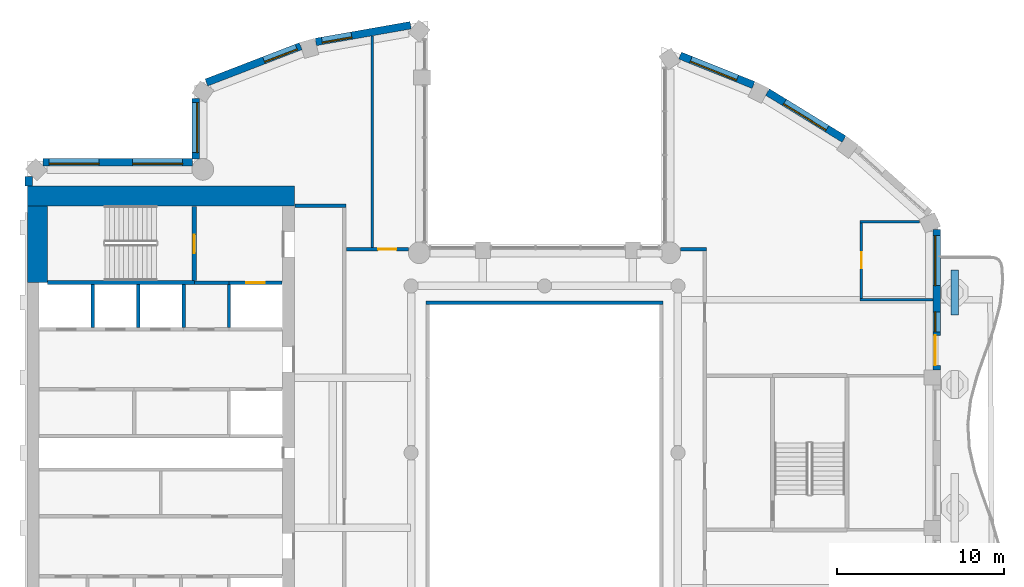
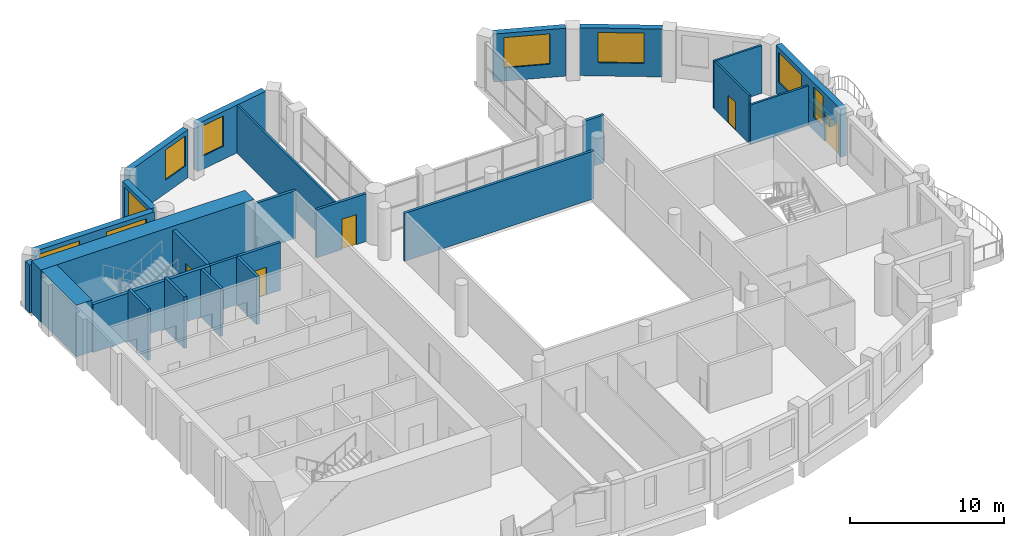
# One storey, part 7 of 15: 27 walls, 9 windows, 5 doors, 14 openings.
"""IFC4 building model written with IfcOpenShell, lengths in metres."""

from ifc_helpers import new_model, si_unit, direction, frame, frame_2d, origin, place, context, subcontext, project, spatial, rectangle, extrude, material, layer, layer_set, type_object, element, fill, save


model = new_model("IFC4")

# Units and contexts
model_context = context("Model", 3, precision=1e-05, world=origin(), true_north=direction((0.0, 1.0)))
body_context = subcontext(model_context, "Body", "Model", "MODEL_VIEW")
ifc_project = project(units=[si_unit("LENGTHUNIT", "METRE"), si_unit("AREAUNIT", "SQUARE_METRE"), si_unit("VOLUMEUNIT", "CUBIC_METRE"), si_unit("PLANEANGLEUNIT", "RADIAN"), si_unit("MASSUNIT", "GRAM", prefix="KILO")], contexts=[model_context])

# Site, building, storey
site_placement = place(None, origin())
site = spatial("IfcSite", under=ifc_project, at=site_placement, CompositionType="ELEMENT")
building_placement = place(site_placement, origin())
building = spatial("IfcBuilding", under=site, at=building_placement, Name="Cypress Arch Tower", CompositionType="ELEMENT")
storey_placement = place(building_placement, frame((0.0, 0.0, 292.60009765625)))
storey = spatial("IfcBuildingStorey", under=building, at=storey_placement, Name="L66", CompositionType="ELEMENT", Elevation=292.60009765625)

# Wall
ifc_material_1 = material(Name="Concrete C40/50, waterproofed", Category="concrete")
ifc_layer_1 = layer(ifc_material_1, 0.449951171875)
ifc_layer_set_1 = layer_set([ifc_layer_1], Name="Balcony planter wall PW450")
wall_type_1 = type_object("IfcWallType", Name="Balcony planter wall PW450", PredefinedType="SOLIDWALL", material=ifc_layer_set_1)
wall_1_placement = place(storey_placement, frame((25.60009765625, 8.25, 0.0), z_axis=(0.0, 0.0, 1.0), x_axis=(0.0, 1.0, 0.0)))
element("IfcWall", 1, at=wall_1_placement, inside=storey, type_object=wall_type_1, Name="Balcony planter wall L66-C17.4", PredefinedType="SOLIDWALL", context=body_context, shape_type="SweptSolid", body=[
    extrude(rectangle(XDim=2.699951171875, YDim=0.449951171875, at=frame_2d((1.35009765625, 0.0))), origin(), (0.0, 0.0, 1.0), 0.599853515625),
])

# Wall, opening, window
ifc_material_2 = material(Name="Brick (red buff blend)", Category="masonry")
ifc_layer_2 = layer(ifc_material_2, 0.449951171875)
ifc_layer_set_2 = layer_set([ifc_layer_2], Name="Brick pier and spandrel wall BW450")
wall_type_2 = type_object("IfcWallType", Name="Brick pier and spandrel wall BW450", PredefinedType="SOLIDWALL", material=ifc_layer_set_2)
wall_2_placement = place(storey_placement, frame((-7.028564453125, 25.63232421875, 0.0), z_axis=(0.0, 0.0, 1.0), x_axis=(-0.984797606634, -0.173705710808, 0.0)))
wall_2 = element("IfcWall", 2, at=wall_2_placement, inside=storey, type_object=wall_type_2, Name="Brick wall L66 C03.0", PredefinedType="SOLIDWALL", context=body_context, shape_type="SweptSolid", body=[
    extrude(rectangle(XDim=5.772216796875, YDim=0.449951171875, at=frame_2d((2.88623046875, 0.0))), origin(), (0.0, 0.0, 1.0), 3.7998046875),
])
opening_1_placement = place(wall_2_placement, frame((3.59326171875, 0.0, 1.050048828125)))
opening_1 = element("IfcOpeningElement", 3, at=opening_1_placement, cuts=wall_2, Name="Opening W180O", PredefinedType="OPENING", context=body_context, shape_type="SweptSolid", body=[
    extrude(rectangle(XDim=1.800048828125, YDim=2.39990234375, at=frame_2d((0.89990234375, 1.199951171875))), frame((0.0, 0.23486328125, 0.0), z_axis=(0.0, -1.0, 0.0), x_axis=(1.0, 0.0, 0.0)), (0.0, 0.0, 1.0), 0.469970703125),
])
ifc_material_3 = material(Name="Anodised aluminium, bronze finish, clear low-emissivity double glazing", Category="aluminium")
window_type_1 = type_object("IfcWindowType", Name="Window Office 1800x2400", PartitioningType="SINGLE_PANEL", PredefinedType="WINDOW", material=ifc_material_3)
window_1_placement = place(opening_1_placement, origin())
window_1 = element("IfcWindow", 4, at=window_1_placement, inside=storey, type_object=window_type_1, Name="Window L66 C03.0.2", OverallHeight=2.39990234375, OverallWidth=1.800048828125, PartitioningType="SINGLE_PANEL", PredefinedType="WINDOW", context=body_context, shape_type="SweptSolid", body=[
    extrude(rectangle(XDim=1.800048828125, YDim=2.39990234375, at=frame_2d((0.89990234375, 1.199951171875))), frame((0.0, 0.135009765625, 0.0), z_axis=(0.0, -1.0, 0.0), x_axis=(1.0, 0.0, 0.0)), (0.0, 0.0, 1.0), 0.06005859375),
])
fill(opening_1, window_1)

wall_3_placement = place(storey_placement, frame((-13.6220703125, 24.376953125, 0.0), z_axis=(0.0, 0.0, 1.0), x_axis=(-0.933129259679, -0.359541075164, 0.0)))
wall_3 = element("IfcWall", 5, at=wall_3_placement, inside=storey, type_object=wall_type_2, Name="Brick wall L66 C04.0", PredefinedType="SOLIDWALL", context=body_context, shape_type="SweptSolid", body=[
    extrude(rectangle(XDim=6.05419921875, YDim=0.449951171875, at=frame_2d((3.027099609375, 0.0))), origin(), (0.0, 0.0, 1.0), 3.7998046875),
])
opening_2_placement = place(wall_3_placement, frame((0.260986328125, 0.0, 1.050048828125)))
opening_2 = element("IfcOpeningElement", 6, at=opening_2_placement, cuts=wall_3, Name="Opening W210O", PredefinedType="OPENING", context=body_context, shape_type="SweptSolid", body=[
    extrude(rectangle(XDim=2.10009765625, YDim=2.39990234375, at=frame_2d((1.050048828125, 1.199951171875))), frame((0.0, 0.23486328125, 0.0), z_axis=(0.0, -1.0, 0.0), x_axis=(1.0, 0.0, 0.0)), (0.0, 0.0, 1.0), 0.469970703125),
])
ifc_material_4 = material(Name="Anodised aluminium, bronze finish, clear low-emissivity double glazing", Category="aluminium")
window_type_2 = type_object("IfcWindowType", Name="Window Office 2100x2400", PartitioningType="SINGLE_PANEL", PredefinedType="WINDOW", material=ifc_material_4)
window_2_placement = place(opening_2_placement, origin())
window_2 = element("IfcWindow", 7, at=window_2_placement, inside=storey, type_object=window_type_2, Name="Window L66 C04.0.1", OverallHeight=2.39990234375, OverallWidth=2.10009765625, PartitioningType="SINGLE_PANEL", PredefinedType="WINDOW", context=body_context, shape_type="SweptSolid", body=[
    extrude(rectangle(XDim=2.10009765625, YDim=2.39990234375, at=frame_2d((1.050048828125, 1.199951171875))), frame((0.0, 0.135009765625, 0.0), z_axis=(0.0, -1.0, 0.0), x_axis=(1.0, 0.0, 0.0)), (0.0, 0.0, 1.0), 0.06005859375),
])
fill(opening_2, window_2)

wall_4_placement = place(storey_placement, frame((-19.925048828125, 21.248291015625, 0.0), z_axis=(0.0, 0.0, 1.0), x_axis=(0.0, -1.0, 0.0)))
wall_4 = element("IfcWall", 8, at=wall_4_placement, inside=storey, type_object=wall_type_2, Name="Brick wall L66 C05.0", PredefinedType="SOLIDWALL", context=body_context, shape_type="SweptSolid", body=[
    extrude(rectangle(XDim=3.646728515625, YDim=0.449951171875, at=frame_2d((1.8232421875, 0.0))), origin(), (0.0, 0.0, 1.0), 3.7998046875),
])
opening_3_placement = place(wall_4_placement, frame((0.251220703125, 0.0, 1.050048828125)))
opening_3 = element("IfcOpeningElement", 9, at=opening_3_placement, cuts=wall_4, Name="Opening W300O", PredefinedType="OPENING", context=body_context, shape_type="SweptSolid", body=[
    extrude(rectangle(XDim=3.0, YDim=2.39990234375, at=frame_2d((1.5, 1.199951171875))), frame((0.0, 0.23486328125, 0.0), z_axis=(0.0, -1.0, 0.0), x_axis=(1.0, 0.0, 0.0)), (0.0, 0.0, 1.0), 0.469970703125),
])
ifc_material_5 = material(Name="Anodised aluminium, bronze finish, clear low-emissivity double glazing", Category="aluminium")
window_type_3 = type_object("IfcWindowType", Name="Window Office 3000x2400", PartitioningType="SINGLE_PANEL", PredefinedType="WINDOW", material=ifc_material_5)
window_3_placement = place(opening_3_placement, origin())
window_3 = element("IfcWindow", 10, at=window_3_placement, inside=storey, type_object=window_type_3, Name="Window L66 C05.0.1", OverallHeight=2.39990234375, OverallWidth=3.0, PartitioningType="SINGLE_PANEL", PredefinedType="WINDOW", context=body_context, shape_type="SweptSolid", body=[
    extrude(rectangle(XDim=3.0, YDim=2.39990234375, at=frame_2d((1.5, 1.199951171875))), frame((0.0, 0.135009765625, 0.0), z_axis=(0.0, -1.0, 0.0), x_axis=(1.0, 0.0, 0.0)), (0.0, 0.0, 1.0), 0.06005859375),
])
fill(opening_3, window_3)

# Wall, openings, windows
wall_5_placement = place(storey_placement, frame((-20.1015625, 17.425048828125, 0.0), z_axis=(0.0, 0.0, 1.0), x_axis=(-1.0, 0.0, 0.0)))
wall_5 = element("IfcWall", 11, at=wall_5_placement, inside=storey, type_object=wall_type_2, Name="Brick wall L66 C06.0", PredefinedType="SOLIDWALL", context=body_context, shape_type="SweptSolid", body=[
    extrude(rectangle(XDim=8.962158203125, YDim=0.449951171875, at=frame_2d((4.48095703125, 0.0))), origin(), (0.0, 0.0, 1.0), 3.7998046875),
])
opening_4_placement = place(wall_5_placement, frame((0.598388671875, 0.0, 1.050048828125)))
opening_4 = element("IfcOpeningElement", 12, at=opening_4_placement, cuts=wall_5, Name="Opening W300O", PredefinedType="OPENING", context=body_context, shape_type="SweptSolid", body=[
    extrude(rectangle(XDim=3.0, YDim=2.39990234375, at=frame_2d((1.5, 1.199951171875))), frame((0.0, 0.23486328125, 0.0), z_axis=(0.0, -1.0, 0.0), x_axis=(1.0, 0.0, 0.0)), (0.0, 0.0, 1.0), 0.469970703125),
])
opening_5_placement = place(wall_5_placement, frame((5.598388671875, 0.0, 1.050048828125)))
opening_5 = element("IfcOpeningElement", 13, at=opening_5_placement, cuts=wall_5, Name="Opening W300O", PredefinedType="OPENING", context=body_context, shape_type="SweptSolid", body=[
    extrude(rectangle(XDim=3.0, YDim=2.39990234375, at=frame_2d((1.5, 1.199951171875))), frame((0.0, 0.23486328125, 0.0), z_axis=(0.0, -1.0, 0.0), x_axis=(1.0, 0.0, 0.0)), (0.0, 0.0, 1.0), 0.469970703125),
])
window_4_placement = place(opening_4_placement, origin())
window_4 = element("IfcWindow", 14, at=window_4_placement, inside=storey, type_object=window_type_3, Name="Window L66 C06.0.1", OverallHeight=2.39990234375, OverallWidth=3.0, PartitioningType="SINGLE_PANEL", PredefinedType="WINDOW", context=body_context, shape_type="SweptSolid", body=[
    extrude(rectangle(XDim=3.0, YDim=2.39990234375, at=frame_2d((1.5, 1.199951171875))), frame((0.0, 0.135009765625, 0.0), z_axis=(0.0, -1.0, 0.0), x_axis=(1.0, 0.0, 0.0)), (0.0, 0.0, 1.0), 0.06005859375),
])
fill(opening_4, window_4)
window_5_placement = place(opening_5_placement, origin())
window_5 = element("IfcWindow", 15, at=window_5_placement, inside=storey, type_object=window_type_3, Name="Window L66 C06.0.2", OverallHeight=2.39990234375, OverallWidth=3.0, PartitioningType="SINGLE_PANEL", PredefinedType="WINDOW", context=body_context, shape_type="SweptSolid", body=[
    extrude(rectangle(XDim=3.0, YDim=2.39990234375, at=frame_2d((1.5, 1.199951171875))), frame((0.0, 0.135009765625, 0.0), z_axis=(0.0, -1.0, 0.0), x_axis=(1.0, 0.0, 0.0)), (0.0, 0.0, 1.0), 0.06005859375),
])
fill(opening_5, window_5)

# Wall
wall_6_placement = place(storey_placement, frame((-29.925048828125, 16.563720703125, 0.0), z_axis=(0.0, 0.0, 1.0), x_axis=(0.0, -1.0, 0.0)))
element("IfcWall", 16, at=wall_6_placement, inside=storey, type_object=wall_type_2, Name="Brick wall L66 C07.0", PredefinedType="SOLIDWALL", context=body_context, shape_type="SweptSolid", body=[
    extrude(rectangle(XDim=0.563720703125, YDim=0.449951171875, at=frame_2d((0.28173828125, 0.0))), origin(), (0.0, 0.0, 1.0), 3.7998046875),
])

# Wall, openings, door, windows
wall_7_placement = place(storey_placement, frame((24.52490234375, 4.949951171875, 0.0), z_axis=(0.0, 0.0, 1.0), x_axis=(0.0, 1.0, 0.0)))
wall_7 = element("IfcWall", 17, at=wall_7_placement, inside=storey, type_object=wall_type_2, Name="Brick wall L66 C17.2", PredefinedType="SOLIDWALL", context=body_context, shape_type="SweptSolid", body=[
    extrude(rectangle(XDim=8.421875, YDim=0.449951171875, at=frame_2d((4.2109375, 0.0))), origin(), (0.0, 0.0, 1.0), 3.7998046875),
])
opening_6_placement = place(wall_7_placement, frame((0.291259765625, 0.0, 0.0)))
opening_6 = element("IfcOpeningElement", 18, at=opening_6_placement, cuts=wall_7, Name="Opening D-L66-C17.2.1", PredefinedType="OPENING", context=body_context, shape_type="SweptSolid", body=[
    extrude(rectangle(XDim=1.800048828125, YDim=2.39990234375, at=frame_2d((0.89990234375, 1.199951171875))), frame((0.0, 0.23486328125, 0.0), z_axis=(0.0, -1.0, 0.0), x_axis=(1.0, 0.0, 0.0)), (0.0, 0.0, 1.0), 0.469970703125),
])
opening_7_placement = place(wall_7_placement, frame((2.291259765625, 0.0, 1.050048828125)))
opening_7 = element("IfcOpeningElement", 19, at=opening_7_placement, cuts=wall_7, Name="Opening W120OD", PredefinedType="OPENING", context=body_context, shape_type="SweptSolid", body=[
    extrude(rectangle(XDim=1.199951171875, YDim=2.39990234375, at=frame_2d((0.60009765625, 1.199951171875))), frame((0.0, 0.23486328125, 0.0), z_axis=(0.0, -1.0, 0.0), x_axis=(1.0, 0.0, 0.0)), (0.0, 0.0, 1.0), 0.469970703125),
])
opening_8_placement = place(wall_7_placement, frame((5.073974609375, 0.0, 1.050048828125)))
opening_8 = element("IfcOpeningElement", 20, at=opening_8_placement, cuts=wall_7, Name="Opening W300OD", PredefinedType="OPENING", context=body_context, shape_type="SweptSolid", body=[
    extrude(rectangle(XDim=3.0, YDim=2.39990234375, at=frame_2d((1.5, 1.199951171875))), frame((0.0, 0.23486328125, 0.0), z_axis=(0.0, -1.0, 0.0), x_axis=(1.0, 0.0, 0.0)), (0.0, 0.0, 1.0), 0.469970703125),
])
ifc_material_6 = material(Name="Anodised aluminium, bronze finish, laminated low-emissivity double glazing, large-missile impact rated", Category="aluminium")
door_type_1 = type_object("IfcDoorType", Name="Balcony sliding door 1800x2400", OperationType="SLIDING_TO_LEFT", PredefinedType="DOOR", material=ifc_material_6)
door_1_placement = place(opening_6_placement, origin())
door_1 = element("IfcDoor", 21, at=door_1_placement, inside=storey, type_object=door_type_1, Name="Balcony door L66 C17.2.1", OperationType="SLIDING_TO_LEFT", OverallHeight=2.39990234375, OverallWidth=1.800048828125, PredefinedType="DOOR", context=body_context, shape_type="SweptSolid", body=[
    extrude(rectangle(XDim=1.800048828125, YDim=2.39990234375, at=frame_2d((0.89990234375, 1.199951171875))), frame((0.0, 0.1298828125, 0.0), z_axis=(0.0, -1.0, 0.0), x_axis=(1.0, 0.0, 0.0)), (0.0, 0.0, 1.0), 0.050048828125),
])
fill(opening_6, door_1)
ifc_material_7 = material(Name="Anodised aluminium, bronze finish, laminated low-emissivity double glazing, large-missile impact rated", Category="aluminium")
window_type_4 = type_object("IfcWindowType", Name="Window Office 1200x2400 debris-rated", PartitioningType="SINGLE_PANEL", PredefinedType="WINDOW", material=ifc_material_7)
window_6_placement = place(opening_7_placement, origin())
window_6 = element("IfcWindow", 22, at=window_6_placement, inside=storey, type_object=window_type_4, Name="Window L66 C17.2.1", OverallHeight=2.39990234375, OverallWidth=1.199951171875, PartitioningType="SINGLE_PANEL", PredefinedType="WINDOW", context=body_context, shape_type="SweptSolid", body=[
    extrude(rectangle(XDim=1.199951171875, YDim=2.39990234375, at=frame_2d((0.60009765625, 1.199951171875))), frame((0.0, 0.135009765625, 0.0), z_axis=(0.0, -1.0, 0.0), x_axis=(1.0, 0.0, 0.0)), (0.0, 0.0, 1.0), 0.06005859375),
])
fill(opening_7, window_6)
ifc_material_8 = material(Name="Anodised aluminium, bronze finish, laminated low-emissivity double glazing, large-missile impact rated", Category="aluminium")
window_type_5 = type_object("IfcWindowType", Name="Window Office 3000x2400 debris-rated", PartitioningType="SINGLE_PANEL", PredefinedType="WINDOW", material=ifc_material_8)
window_7_placement = place(opening_8_placement, origin())
window_7 = element("IfcWindow", 23, at=window_7_placement, inside=storey, type_object=window_type_5, Name="Window L66 C17.2.2", OverallHeight=2.39990234375, OverallWidth=3.0, PartitioningType="SINGLE_PANEL", PredefinedType="WINDOW", context=body_context, shape_type="SweptSolid", body=[
    extrude(rectangle(XDim=3.0, YDim=2.39990234375, at=frame_2d((1.5, 1.199951171875))), frame((0.0, 0.135009765625, 0.0), z_axis=(0.0, -1.0, 0.0), x_axis=(1.0, 0.0, 0.0)), (0.0, 0.0, 1.0), 0.06005859375),
])
fill(opening_8, window_7)

# Wall, opening, window
wall_8_placement = place(storey_placement, frame((18.953369140625, 18.806396484375, 0.0), z_axis=(0.0, 0.0, 1.0), x_axis=(-0.851860664503, 0.523768468193, 0.0)))
wall_8 = element("IfcWall", 24, at=wall_8_placement, inside=storey, type_object=wall_type_2, Name="Brick wall L66 C19.0", PredefinedType="SOLIDWALL", context=body_context, shape_type="SweptSolid", body=[
    extrude(rectangle(XDim=5.3837890625, YDim=0.449951171875, at=frame_2d((2.69189453125, 0.0))), origin(), (0.0, 0.0, 1.0), 3.7998046875),
])
opening_9_placement = place(wall_8_placement, frame((1.19189453125, 0.0, 1.050048828125)))
opening_9 = element("IfcOpeningElement", 25, at=opening_9_placement, cuts=wall_8, Name="Opening W300O", PredefinedType="OPENING", context=body_context, shape_type="SweptSolid", body=[
    extrude(rectangle(XDim=3.0, YDim=2.39990234375, at=frame_2d((1.5, 1.199951171875))), frame((0.0, 0.23486328125, 0.0), z_axis=(0.0, -1.0, 0.0), x_axis=(1.0, 0.0, 0.0)), (0.0, 0.0, 1.0), 0.469970703125),
])
window_8_placement = place(opening_9_placement, origin())
window_8 = element("IfcWindow", 26, at=window_8_placement, inside=storey, type_object=window_type_3, Name="Window L66 C19.0.1", OverallHeight=2.39990234375, OverallWidth=3.0, PartitioningType="SINGLE_PANEL", PredefinedType="WINDOW", context=body_context, shape_type="SweptSolid", body=[
    extrude(rectangle(XDim=3.0, YDim=2.39990234375, at=frame_2d((1.5, 1.199951171875))), frame((0.0, 0.135009765625, 0.0), z_axis=(0.0, -1.0, 0.0), x_axis=(1.0, 0.0, 0.0)), (0.0, 0.0, 1.0), 0.06005859375),
])
fill(opening_9, window_8)

wall_9_placement = place(storey_placement, frame((13.529296875, 22.04833984375, 0.0), z_axis=(0.0, 0.0, 1.0), x_axis=(-0.927957332619, 0.372686448424, 0.0)))
wall_9 = element("IfcWall", 27, at=wall_9_placement, inside=storey, type_object=wall_type_2, Name="Brick wall L66 C20.0", PredefinedType="SOLIDWALL", context=body_context, shape_type="SweptSolid", body=[
    extrude(rectangle(XDim=4.741455078125, YDim=0.449951171875, at=frame_2d((2.37060546875, 0.0))), origin(), (0.0, 0.0, 1.0), 3.7998046875),
])
opening_10_placement = place(wall_9_placement, frame((1.046630859375, 0.0, 1.050048828125)))
opening_10 = element("IfcOpeningElement", 28, at=opening_10_placement, cuts=wall_9, Name="Opening W300O", PredefinedType="OPENING", context=body_context, shape_type="SweptSolid", body=[
    extrude(rectangle(XDim=3.0, YDim=2.39990234375, at=frame_2d((1.5, 1.199951171875))), frame((0.0, 0.23486328125, 0.0), z_axis=(0.0, -1.0, 0.0), x_axis=(1.0, 0.0, 0.0)), (0.0, 0.0, 1.0), 0.469970703125),
])
window_9_placement = place(opening_10_placement, origin())
window_9 = element("IfcWindow", 29, at=window_9_placement, inside=storey, type_object=window_type_3, Name="Window L66 C20.0.1", OverallHeight=2.39990234375, OverallWidth=3.0, PartitioningType="SINGLE_PANEL", PredefinedType="WINDOW", context=body_context, shape_type="SweptSolid", body=[
    extrude(rectangle(XDim=3.0, YDim=2.39990234375, at=frame_2d((1.5, 1.199951171875))), frame((0.0, 0.135009765625, 0.0), z_axis=(0.0, -1.0, 0.0), x_axis=(1.0, 0.0, 0.0)), (0.0, 0.0, 1.0), 0.06005859375),
])
fill(opening_10, window_9)

# Walls
ifc_material_9 = material(Name="Concrete C60/75", Category="concrete")
ifc_layer_3 = layer(ifc_material_9, 1.199951171875)
ifc_layer_set_3 = layer_set([ifc_layer_3], Name="Core wall CW1200 C60/75")
wall_type_3 = type_object("IfcWallType", Name="Core wall CW1200 C60/75", PredefinedType="SHEAR", material=ifc_layer_set_3)
wall_10_placement = place(storey_placement, frame((-30.0, 15.39990234375, 0.0), z_axis=(0.0, 0.0, 1.0), x_axis=(1.0, 0.0, 0.0)))
element("IfcWall", 30, at=wall_10_placement, inside=storey, type_object=wall_type_3, Name="Core wall", PredefinedType="SHEAR", context=body_context, shape_type="SweptSolid", body=[
    extrude(rectangle(XDim=16.0, YDim=1.199951171875, at=frame_2d((8.0, 0.0))), origin(), (0.0, 0.0, 1.0), 4.099853515625),
])
wall_11_placement = place(storey_placement, frame((-29.39990234375, 10.199951171875, 0.0), z_axis=(0.0, 0.0, 1.0), x_axis=(0.0, 1.0, 0.0)))
element("IfcWall", 31, at=wall_11_placement, inside=storey, type_object=wall_type_3, Name="Core wall", PredefinedType="SHEAR", context=body_context, shape_type="SweptSolid", body=[
    extrude(rectangle(XDim=4.60009765625, YDim=1.199951171875, at=frame_2d((2.300048828125, 0.0))), origin(), (0.0, 0.0, 1.0), 4.099853515625),
])
ifc_material_10 = material(Name="Concrete blockwork, plastered, rated", Category="masonry")
ifc_layer_4 = layer(ifc_material_10, 0.199951171875)
ifc_layer_set_4 = layer_set([ifc_layer_4], Name="Corridor wall FW200")
wall_type_4 = type_object("IfcWallType", Name="Corridor wall FW200", PredefinedType="PARTITIONING", material=ifc_layer_set_4)
wall_12_placement = place(storey_placement, frame((-20.0, 10.199951171875, 0.0), z_axis=(0.0, 0.0, 1.0), x_axis=(1.0, 0.0, 0.0)))
element("IfcWall", 32, at=wall_12_placement, inside=storey, type_object=wall_type_4, Name="Corridor wall", PredefinedType="PARTITIONING", context=body_context, shape_type="SweptSolid", body=[
    extrude(rectangle(XDim=2.080078125, YDim=0.199951171875, at=frame_2d((1.0400390625, 0.0))), origin(), (0.0, 0.0, 1.0), 3.7998046875),
])
wall_13_placement = place(storey_placement, frame((-13.969970703125, 14.800048828125, 0.0), z_axis=(0.0, 0.0, 1.0), x_axis=(1.0, 0.0, 0.0)))
element("IfcWall", 33, at=wall_13_placement, inside=storey, type_object=wall_type_4, Name="Corridor wall", PredefinedType="PARTITIONING", context=body_context, shape_type="SweptSolid", body=[
    extrude(rectangle(XDim=3.070068359375, YDim=0.199951171875, at=frame_2d((1.53515625, 0.0))), origin(), (0.0, 0.0, 1.0), 3.7998046875),
])

# Wall, opening, door
wall_14_placement = place(storey_placement, frame((-10.8798828125, 12.199951171875, 0.0), z_axis=(0.0, 0.0, 1.0), x_axis=(1.0, 0.0, 0.0)))
wall_14 = element("IfcWall", 34, at=wall_14_placement, inside=storey, type_object=wall_type_4, Name="Corridor wall", PredefinedType="PARTITIONING", context=body_context, shape_type="SweptSolid", body=[
    extrude(rectangle(XDim=3.736083984375, YDim=0.199951171875, at=frame_2d((1.8681640625, 0.0))), origin(), (0.0, 0.0, 1.0), 3.7998046875),
])
opening_11_placement = place(wall_14_placement, frame((1.89990234375, 0.0, 0.0)))
opening_11 = element("IfcOpeningElement", 35, at=opening_11_placement, cuts=wall_14, Name="Opening D01", PredefinedType="OPENING", context=body_context, shape_type="SweptSolid", body=[
    extrude(rectangle(XDim=1.10009765625, YDim=2.39990234375, at=frame_2d((0.550048828125, 1.199951171875))), frame((0.0, 0.10986328125, 0.0), z_axis=(0.0, -1.0, 0.0), x_axis=(1.0, 0.0, 0.0)), (0.0, 0.0, 1.0), 0.219970703125),
])
ifc_material_11 = material(Name="Timber flush door, fire resisting, self-closing", Category="wood")
door_type_2 = type_object("IfcDoorType", Name="Unit entrance door D01 1100x2400", OperationType="SINGLE_SWING_LEFT", PredefinedType="DOOR", material=ifc_material_11)
door_2_placement = place(opening_11_placement, origin())
door_2 = element("IfcDoor", 36, at=door_2_placement, inside=storey, type_object=door_type_2, Name="Unit entrance door", OperationType="SINGLE_SWING_LEFT", OverallHeight=2.39990234375, OverallWidth=1.10009765625, PredefinedType="DOOR", context=body_context, shape_type="SweptSolid", body=[
    extrude(rectangle(XDim=1.10009765625, YDim=2.39990234375, at=frame_2d((0.550048828125, 1.199951171875))), frame((0.0, 0.02490234375, 0.0), z_axis=(0.0, -1.0, 0.0), x_axis=(1.0, 0.0, 0.0)), (0.0, 0.0, 1.0), 0.050048828125),
])
fill(opening_11, door_2)

# Walls
wall_15_placement = place(storey_placement, frame((-6.10009765625, 9.0, 0.0), z_axis=(0.0, 0.0, 1.0), x_axis=(1.0, 0.0, 0.0)))
element("IfcWall", 37, at=wall_15_placement, inside=storey, type_object=wall_type_4, Name="Corridor wall", PredefinedType="PARTITIONING", context=body_context, shape_type="SweptSolid", body=[
    extrude(rectangle(XDim=14.2001953125, YDim=0.199951171875, at=frame_2d((7.10009765625, 0.0))), origin(), (0.0, 0.0, 1.0), 3.7998046875),
])
wall_16_placement = place(storey_placement, frame((9.143798828125, 12.199951171875, 0.0), z_axis=(0.0, 0.0, 1.0), x_axis=(1.0, 0.0, 0.0)))
element("IfcWall", 38, at=wall_16_placement, inside=storey, type_object=wall_type_4, Name="Corridor wall", PredefinedType="PARTITIONING", context=body_context, shape_type="SweptSolid", body=[
    extrude(rectangle(XDim=1.55615234375, YDim=0.199951171875, at=frame_2d((0.778076171875, 0.0))), origin(), (0.0, 0.0, 1.0), 3.7998046875),
])
ifc_material_12 = material(Name="Blockwork, plastered both sides", Category="masonry")
ifc_layer_5 = layer(ifc_material_12, 0.14990234375)
ifc_layer_set_5 = layer_set([ifc_layer_5], Name="Partition PW150")
wall_type_5 = type_object("IfcWallType", Name="Partition PW150", PredefinedType="PARTITIONING", material=ifc_layer_set_5)
wall_17_placement = place(storey_placement, frame((-9.344482421875, 12.320068359375, 0.0), z_axis=(0.0, 0.0, 1.0), x_axis=(0.0, 1.0, 0.0)))
element("IfcWall", 39, at=wall_17_placement, inside=storey, type_object=wall_type_5, Name="Partition", PredefinedType="PARTITIONING", context=body_context, shape_type="SweptSolid", body=[
    extrude(rectangle(XDim=12.67529296875, YDim=0.14990234375, at=frame_2d((6.337646484375, 0.0))), origin(), (0.0, 0.0, 1.0), 3.7998046875),
])

# Wall, opening, door
wall_18_placement = place(storey_placement, frame((20.0, 9.258056640625, 0.0), z_axis=(0.0, 0.0, 1.0), x_axis=(0.0, 1.0, 0.0)))
wall_18 = element("IfcWall", 40, at=wall_18_placement, inside=storey, type_object=wall_type_5, Name="Partition", PredefinedType="PARTITIONING", context=body_context, shape_type="SweptSolid", body=[
    extrude(rectangle(XDim=4.531982421875, YDim=0.14990234375, at=frame_2d((2.26611328125, 0.0))), origin(), (0.0, 0.0, 1.0), 3.7998046875),
])
opening_12_placement = place(wall_18_placement, frame((1.800048828125, 0.0, 0.0)))
opening_12 = element("IfcOpeningElement", 41, at=opening_12_placement, cuts=wall_18, Name="Opening D12", PredefinedType="OPENING", context=body_context, shape_type="SweptSolid", body=[
    extrude(rectangle(XDim=0.949951171875, YDim=2.199951171875, at=frame_2d((0.47509765625, 1.10009765625))), frame((0.0, 0.0849609375, 0.0), z_axis=(0.0, -1.0, 0.0), x_axis=(1.0, 0.0, 0.0)), (0.0, 0.0, 1.0), 0.169921875),
])
ifc_material_13 = material(Name="Timber flush door", Category="wood")
door_type_3 = type_object("IfcDoorType", Name="Room door D12 950x2200", OperationType="SINGLE_SWING_LEFT", PredefinedType="DOOR", material=ifc_material_13)
door_3_placement = place(opening_12_placement, origin())
door_3 = element("IfcDoor", 42, at=door_3_placement, inside=storey, type_object=door_type_3, Name="Room door", OperationType="SINGLE_SWING_RIGHT", OverallHeight=2.199951171875, OverallWidth=0.949951171875, PredefinedType="DOOR", context=body_context, shape_type="SweptSolid", body=[
    extrude(rectangle(XDim=0.949951171875, YDim=2.199951171875, at=frame_2d((0.47509765625, 1.10009765625))), frame((0.0, 0.02490234375, 0.0), z_axis=(0.0, -1.0, 0.0), x_axis=(1.0, 0.0, 0.0)), (0.0, 0.0, 1.0), 0.050048828125),
])
fill(opening_12, door_3)

# Walls
wall_19_placement = place(storey_placement, frame((19.925048828125, 9.18310546875, 0.0), z_axis=(0.0, 0.0, 1.0), x_axis=(1.0, 0.0, 0.0)))
element("IfcWall", 43, at=wall_19_placement, inside=storey, type_object=wall_type_5, Name="Partition", PredefinedType="PARTITIONING", context=body_context, shape_type="SweptSolid", body=[
    extrude(rectangle(XDim=4.375, YDim=0.14990234375, at=frame_2d((2.1875, 0.0))), origin(), (0.0, 0.0, 1.0), 3.14990234375),
])
wall_20_placement = place(storey_placement, frame((19.925048828125, 13.864990234375, 0.0), z_axis=(0.0, 0.0, 1.0), x_axis=(1.0, 0.0, 0.0)))
element("IfcWall", 44, at=wall_20_placement, inside=storey, type_object=wall_type_5, Name="Partition", PredefinedType="PARTITIONING", context=body_context, shape_type="SweptSolid", body=[
    extrude(rectangle(XDim=3.568115234375, YDim=0.14990234375, at=frame_2d((1.7841796875, 0.0))), origin(), (0.0, 0.0, 1.0), 3.7998046875),
])
ifc_material_14 = material(Name="Concrete C50/60", Category="concrete")
ifc_layer_6 = layer(ifc_material_14, 0.199951171875)
ifc_layer_set_6 = layer_set([ifc_layer_6], Name="Shaft wall SH200")
wall_type_6 = type_object("IfcWallType", Name="Shaft wall SH200", PredefinedType="SHEAR", material=ifc_layer_set_6)
for number, where, z_axis, x_axis, name in (
    (45, (-26.080078125, 7.5, 0.0), (0.0, 0.0, 1.0), (0.0, 1.0, 0.0), "Shaft wall"),
    (46, (-23.360107421875, 7.5, 0.0), (0.0, 0.0, 1.0), (0.0, 1.0, 0.0), "Shaft wall"),
):
    element("IfcWall", number, at=place(storey_placement, frame(where, z_axis=z_axis, x_axis=x_axis)), inside=storey, type_object=wall_type_6, Name=name, PredefinedType="SHEAR", context=body_context, shape_type="SweptSolid", body=[
        extrude(rectangle(XDim=2.574951171875, YDim=0.199951171875, at=frame_2d((1.28759765625, 0.0))), origin(), (0.0, 0.0, 1.0), 4.099853515625),
    ])
wall_21_placement = place(storey_placement, frame((-20.639892578125, 7.5, 0.0), z_axis=(0.0, 0.0, 1.0), x_axis=(0.0, 1.0, 0.0)))
element("IfcWall", 47, at=wall_21_placement, inside=storey, type_object=wall_type_6, Name="Shaft wall", PredefinedType="SHEAR", context=body_context, shape_type="SweptSolid", body=[
    extrude(rectangle(XDim=2.574951171875, YDim=0.199951171875, at=frame_2d((1.28759765625, 0.0))), origin(), (0.0, 0.0, 1.0), 3.7998046875),
])
wall_22_placement = place(storey_placement, frame((-17.919921875, 7.5, 0.0), z_axis=(0.0, 0.0, 1.0), x_axis=(0.0, 1.0, 0.0)))
element("IfcWall", 48, at=wall_22_placement, inside=storey, type_object=wall_type_6, Name="Shaft wall", PredefinedType="SHEAR", context=body_context, shape_type="SweptSolid", body=[
    extrude(rectangle(XDim=2.60009765625, YDim=0.199951171875, at=frame_2d((1.300048828125, 0.0))), origin(), (0.0, 0.0, 1.0), 3.7998046875),
])

# Wall, opening, door
wall_23_placement = place(storey_placement, frame((-17.919921875, 10.199951171875, 0.0), z_axis=(0.0, 0.0, 1.0), x_axis=(1.0, 0.0, 0.0)))
wall_23 = element("IfcWall", 49, at=wall_23_placement, inside=storey, type_object=wall_type_6, Name="Shaft wall", PredefinedType="SHEAR", context=body_context, shape_type="SweptSolid", body=[
    extrude(rectangle(XDim=3.18994140625, YDim=0.199951171875, at=frame_2d((1.594970703125, 0.0))), origin(), (0.0, 0.0, 1.0), 3.7998046875),
])
opening_13_placement = place(wall_23_placement, frame((1.050048828125, 0.0, 0.0)))
opening_13 = element("IfcOpeningElement", 50, at=opening_13_placement, cuts=wall_23, Name="Opening LD-FL2", PredefinedType="OPENING", context=body_context, shape_type="SweptSolid", body=[
    extrude(rectangle(XDim=1.10009765625, YDim=2.199951171875, at=frame_2d((0.550048828125, 1.10009765625))), frame((0.0, 0.10986328125, 0.0), z_axis=(0.0, -1.0, 0.0), x_axis=(1.0, 0.0, 0.0)), (0.0, 0.0, 1.0), 0.219970703125),
])
ifc_material_15 = material(Name="Stainless steel centre-opening landing door, rated", Category="steel")
door_type_4 = type_object("IfcDoorType", Name="Lift landing door LD 1100x2200", OperationType="DOUBLE_DOOR_SLIDING", PredefinedType="DOOR", material=ifc_material_15)
door_4_placement = place(opening_13_placement, origin())
door_4 = element("IfcDoor", 51, at=door_4_placement, inside=storey, type_object=door_type_4, Name="Lift landing doors FL2", OperationType="DOUBLE_DOOR_SLIDING", OverallHeight=2.199951171875, OverallWidth=1.10009765625, PredefinedType="DOOR", context=body_context, shape_type="SweptSolid", body=[
    extrude(rectangle(XDim=1.10009765625, YDim=2.199951171875, at=frame_2d((0.550048828125, 1.10009765625))), frame((0.0, 0.02490234375, 0.0), z_axis=(0.0, -1.0, 0.0), x_axis=(1.0, 0.0, 0.0)), (0.0, 0.0, 1.0), 0.050048828125),
])
fill(opening_13, door_4)

# Wall
ifc_material_16 = material(Name="Concrete C50/60", Category="concrete")
ifc_layer_7 = layer(ifc_material_16, 0.25)
ifc_layer_set_7 = layer_set([ifc_layer_7], Name="Stair enclosure wall SW250")
wall_type_7 = type_object("IfcWallType", Name="Stair enclosure wall SW250", PredefinedType="SHEAR", material=ifc_layer_set_7)
wall_24_placement = place(storey_placement, frame((-28.81005859375, 10.199951171875, 0.0), z_axis=(0.0, 0.0, 1.0), x_axis=(1.0, 0.0, 0.0)))
element("IfcWall", 52, at=wall_24_placement, inside=storey, type_object=wall_type_7, Name="Stair enclosure wall", PredefinedType="SHEAR", context=body_context, shape_type="SweptSolid", body=[
    extrude(rectangle(XDim=8.81005859375, YDim=0.25, at=frame_2d((4.405029296875, 0.0))), origin(), (0.0, 0.0, 1.0), 3.7998046875),
])

# Wall, opening, door
wall_25_placement = place(storey_placement, frame((-20.0, 10.324951171875, 0.0), z_axis=(0.0, 0.0, 1.0), x_axis=(0.0, 1.0, 0.0)))
wall_25 = element("IfcWall", 53, at=wall_25_placement, inside=storey, type_object=wall_type_7, Name="Stair enclosure wall", PredefinedType="SHEAR", context=body_context, shape_type="SweptSolid", body=[
    extrude(rectangle(XDim=4.445068359375, YDim=0.25, at=frame_2d((2.22265625, 0.0))), origin(), (0.0, 0.0, 1.0), 3.7998046875),
])
opening_14_placement = place(wall_25_placement, frame((1.64990234375, 0.0, 0.0)))
opening_14 = element("IfcOpeningElement", 54, at=opening_14_placement, cuts=wall_25, Name="Opening D06", PredefinedType="OPENING", context=body_context, shape_type="SweptSolid", body=[
    extrude(rectangle(XDim=1.10009765625, YDim=2.199951171875, at=frame_2d((0.550048828125, 1.10009765625))), frame((0.0, 0.135009765625, 0.0), z_axis=(0.0, -1.0, 0.0), x_axis=(1.0, 0.0, 0.0)), (0.0, 0.0, 1.0), 0.27001953125),
])
ifc_material_17 = material(Name="Steel door, fire resisting, panic bar", Category="steel")
door_type_5 = type_object("IfcDoorType", Name="Stair door D06 1100x2200", OperationType="SINGLE_SWING_LEFT", PredefinedType="DOOR", material=ifc_material_17)
door_5_placement = place(opening_14_placement, origin())
door_5 = element("IfcDoor", 55, at=door_5_placement, inside=storey, type_object=door_type_5, Name="Stair door", OperationType="SINGLE_SWING_LEFT", OverallHeight=2.199951171875, OverallWidth=1.10009765625, PredefinedType="DOOR", context=body_context, shape_type="SweptSolid", body=[
    extrude(rectangle(XDim=1.10009765625, YDim=2.199951171875, at=frame_2d((0.550048828125, 1.10009765625))), frame((0.0, 0.02490234375, 0.0), z_axis=(0.0, -1.0, 0.0), x_axis=(1.0, 0.0, 0.0)), (0.0, 0.0, 1.0), 0.050048828125),
])
fill(opening_14, door_5)

save(model, "model.ifc")
